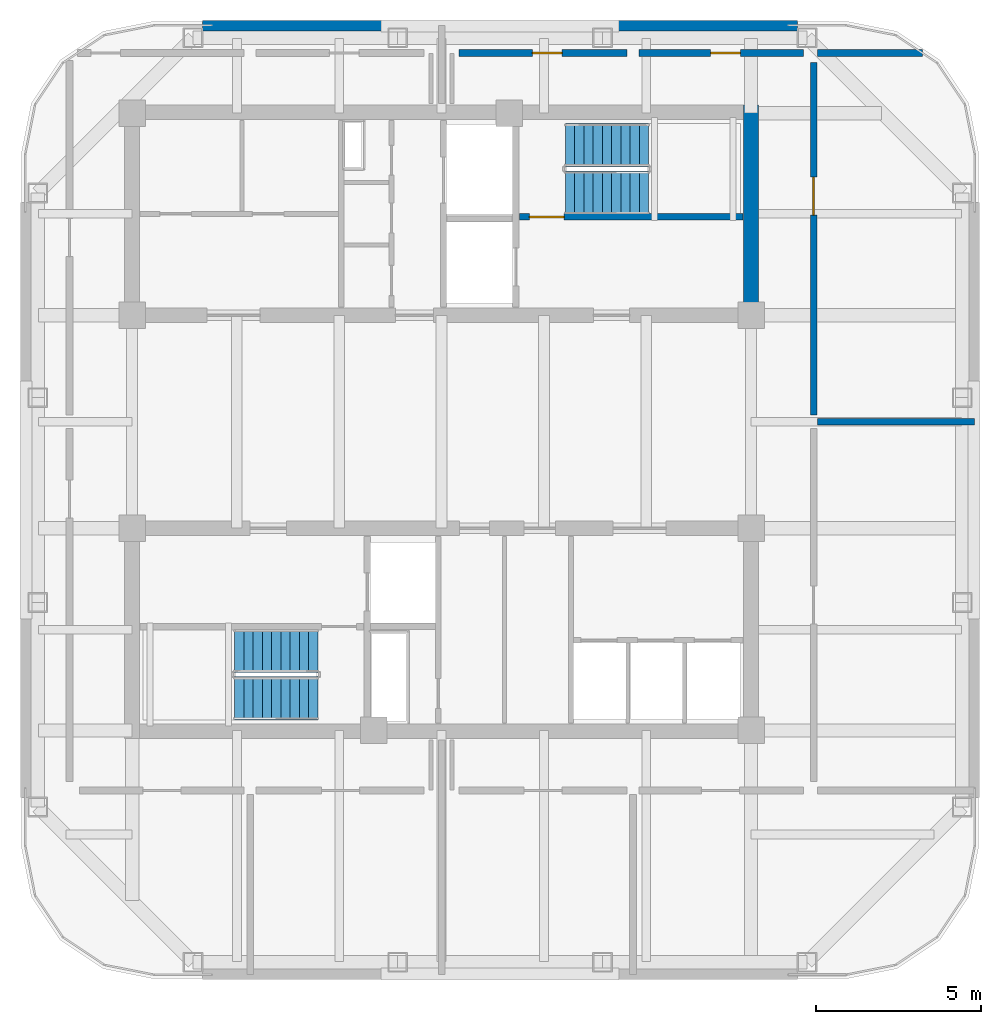
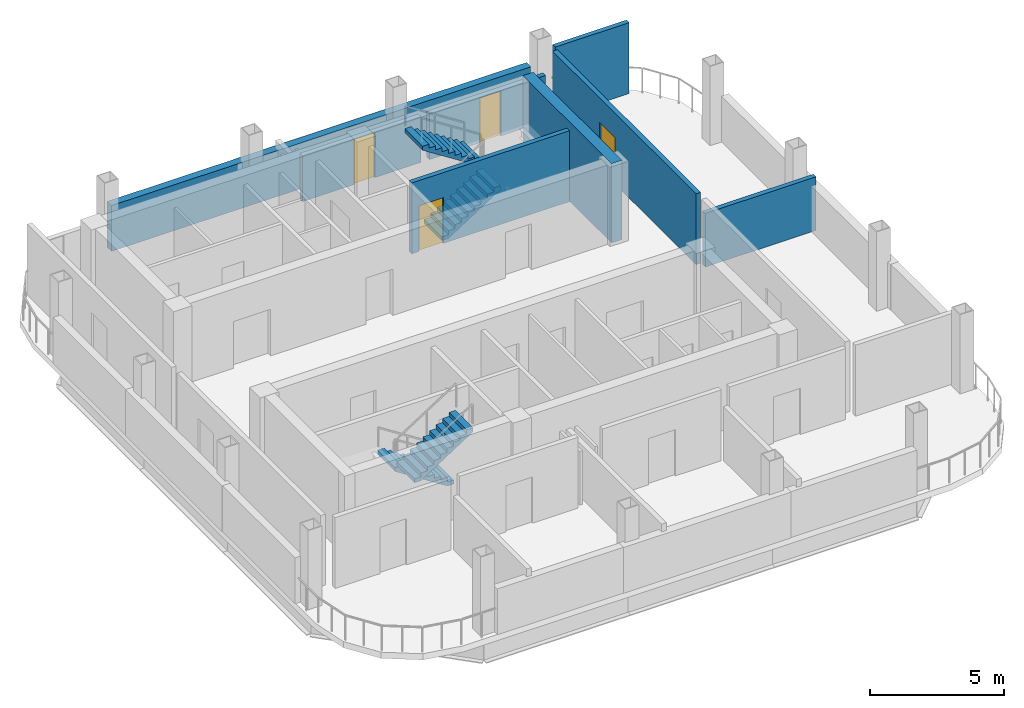
# One storey, part 4 of 7: 8 walls, 4 doors, 4 stair flights, 4 openings, 2 elements without a shape of their own.
"""IFC4 building model written with IfcOpenShell, lengths in metres."""

from ifc_helpers import new_model, si_unit, direction, frame, frame_2d, origin, place, context, subcontext, project, spatial, polyline, rectangle, outline, extrude, material, layer, layer_set, type_object, element, fill, aggregate, save


model = new_model("IFC4")

# Units and contexts
model_context = context("Model", 3, precision=1e-05, world=origin(), true_north=direction((0.0, 1.0)))
body_context = subcontext(model_context, "Body", "Model", "MODEL_VIEW")
ifc_project = project(units=[si_unit("LENGTHUNIT", "METRE"), si_unit("AREAUNIT", "SQUARE_METRE"), si_unit("VOLUMEUNIT", "CUBIC_METRE"), si_unit("PLANEANGLEUNIT", "RADIAN"), si_unit("MASSUNIT", "GRAM", prefix="KILO")], contexts=[model_context])

# Site, building, storey
site_placement = place(None, origin())
site = spatial("IfcSite", under=ifc_project, at=site_placement, CompositionType="ELEMENT")
building_placement = place(site_placement, origin())
building = spatial("IfcBuilding", under=site, at=building_placement, Name="Qhalaya Broadcast Tower", CompositionType="ELEMENT")
storey_placement = place(building_placement, frame((0.0, 0.0, 234.89990234375)))
storey = spatial("IfcBuildingStorey", under=building, at=storey_placement, Name="L69", CompositionType="ELEMENT", Elevation=234.89990234375)

# Wall, opening, door
ifc_material_1 = material(Name="Gypsum Acoustic Partition")
ifc_layer_1 = layer(ifc_material_1, 0.199951171875, Name="Gypsum Acoustic Partition")
ifc_layer_set_1 = layer_set([ifc_layer_1], Name="Gypsum Acoustic Partition")
wall_type_1 = type_object("IfcWallType", Name="Firefighting Lobby & Stair Enclosure Wall 200", PredefinedType="PARTITIONING", material=ifc_layer_set_1)
wall_1_placement = place(storey_placement, frame((5.6201171875, 11.77001953125, 0.0), z_axis=(0.0, 0.0, 1.0), x_axis=(-1.0, 0.0, 0.0)))
wall_1 = element("IfcWall", 1, at=wall_1_placement, inside=storey, type_object=wall_type_1, Name="L69 Partition Wall W-PCN2", PredefinedType="PARTITIONING", context=body_context, shape_type="SweptSolid", body=[
    extrude(rectangle(XDim=5.090087890625, YDim=0.199951171875, at=frame_2d((2.544921875, 0.0))), origin(), (0.0, 0.0, 1.0), 2.08203125),
])
opening_1_placement = place(wall_1_placement, frame((1.969970703125, 0.0, 0.0)))
opening_1 = element("IfcOpeningElement", 2, at=opening_1_placement, cuts=wall_1, Name="Opening D06", PredefinedType="OPENING", context=body_context, shape_type="SweptSolid", body=[
    extrude(rectangle(XDim=0.89990234375, YDim=2.050048828125, at=frame_2d((0.449951171875, 1.02490234375))), frame((0.0, 0.112060546875, 0.0), z_axis=(0.0, -1.0, 0.0), x_axis=(1.0, 0.0, 0.0)), (0.0, 0.0, 1.0), 0.223876953125),
])
ifc_material_2 = material(Name="Fire-Rated Steel Door", Category="steel")
door_type_1 = type_object("IfcDoorType", Name="Riser & Electrical Shaft Access Door D06", OperationType="NOTDEFINED", PredefinedType="DOOR", material=ifc_material_2)
door_1_placement = place(opening_1_placement, origin())
door_1 = element("IfcDoor", 3, at=door_1_placement, inside=storey, type_object=door_type_1, Name="L69 Door D-PCN2", OperationType="SINGLE_SWING_LEFT", OverallHeight=2.050048828125, OverallWidth=0.89990234375, PredefinedType="DOOR", context=body_context, shape_type="SweptSolid", body=[
    extrude(rectangle(XDim=0.89990234375, YDim=2.050048828125, at=frame_2d((0.449951171875, 1.02490234375))), frame((0.0, 0.02490234375, 0.0), z_axis=(0.0, -1.0, 0.0), x_axis=(1.0, 0.0, 0.0)), (0.0, 0.0, 1.0), 0.050048828125),
])
fill(opening_1, door_1)

wall_2_placement = place(storey_placement, frame((10.969970703125, 11.77001953125, 0.0), z_axis=(0.0, 0.0, 1.0), x_axis=(-1.0, 0.0, 0.0)))
wall_2 = element("IfcWall", 4, at=wall_2_placement, inside=storey, type_object=wall_type_1, Name="L69 Partition Wall W-PCN3", PredefinedType="PARTITIONING", context=body_context, shape_type="SweptSolid", body=[
    extrude(rectangle(XDim=4.989990234375, YDim=0.199951171875, at=frame_2d((2.4951171875, 0.0))), origin(), (0.0, 0.0, 1.0), 2.08203125),
])
opening_2_placement = place(wall_2_placement, frame((1.919921875, 0.0, 0.0)))
opening_2 = element("IfcOpeningElement", 5, at=opening_2_placement, cuts=wall_2, Name="Opening D06", PredefinedType="OPENING", context=body_context, shape_type="SweptSolid", body=[
    extrude(rectangle(XDim=0.89990234375, YDim=2.050048828125, at=frame_2d((0.449951171875, 1.02490234375))), frame((0.0, 0.112060546875, 0.0), z_axis=(0.0, -1.0, 0.0), x_axis=(1.0, 0.0, 0.0)), (0.0, 0.0, 1.0), 0.223876953125),
])
door_2_placement = place(opening_2_placement, origin())
door_2 = element("IfcDoor", 6, at=door_2_placement, inside=storey, type_object=door_type_1, Name="L69 Door D-PCN3", OperationType="SINGLE_SWING_LEFT", OverallHeight=2.050048828125, OverallWidth=0.89990234375, PredefinedType="DOOR", context=body_context, shape_type="SweptSolid", body=[
    extrude(rectangle(XDim=0.89990234375, YDim=2.050048828125, at=frame_2d((0.449951171875, 1.02490234375))), frame((0.0, 0.02490234375, 0.0), z_axis=(0.0, -1.0, 0.0), x_axis=(1.0, 0.0, 0.0)), (0.0, 0.0, 1.0), 0.050048828125),
])
fill(opening_2, door_2)

# Walls
wall_3_placement = place(storey_placement, frame((11.389892578125, 11.77001953125, 0.0), z_axis=(0.0, 0.0, 1.0), x_axis=(1.0, 0.0, 0.0)))
element("IfcWall", 7, at=wall_3_placement, inside=storey, type_object=wall_type_1, Name="L69 Partition Wall W-PBNE", PredefinedType="PARTITIONING", context=body_context, shape_type="SweptSolid", body=[
    extrude(rectangle(XDim=3.17578125, YDim=0.199951171875, at=frame_2d((1.587890625, 0.0))), origin(), (0.0, 0.0, 1.0), 3.22021484375),
])
wall_4_placement = place(storey_placement, frame((11.389892578125, 0.60009765625, 0.0), z_axis=(0.0, 0.0, 1.0), x_axis=(1.0, 0.0, 0.0)))
element("IfcWall", 8, at=wall_4_placement, inside=storey, type_object=wall_type_1, Name="L69 Partition Wall W-PDE1", PredefinedType="PARTITIONING", context=body_context, shape_type="SweptSolid", body=[
    extrude(rectangle(XDim=4.760009765625, YDim=0.199951171875, at=frame_2d((2.3798828125, 0.0))), origin(), (0.0, 0.0, 1.0), 2.43798828125),
])

# Wall, opening, door
wall_5_placement = place(storey_placement, frame((11.27001953125, 0.81005859375, 0.0), z_axis=(0.0, 0.0, 1.0), x_axis=(0.0, 1.0, 0.0)))
wall_5 = element("IfcWall", 9, at=wall_5_placement, inside=storey, type_object=wall_type_1, Name="L69 Partition Wall W-PCE2", PredefinedType="PARTITIONING", context=body_context, shape_type="SweptSolid", body=[
    extrude(rectangle(XDim=10.679931640625, YDim=0.199951171875, at=frame_2d((5.33984375, 0.0))), origin(), (0.0, 0.0, 1.0), 3.22021484375),
])
opening_3_placement = place(wall_5_placement, frame((6.047119140625, 0.0, 0.0)))
opening_3 = element("IfcOpeningElement", 10, at=opening_3_placement, cuts=wall_5, Name="Opening D05", PredefinedType="OPENING", context=body_context, shape_type="SweptSolid", body=[
    extrude(rectangle(XDim=1.14990234375, YDim=2.10009765625, at=frame_2d((0.574951171875, 1.050048828125))), frame((0.0, 0.112060546875, 0.0), z_axis=(0.0, -1.0, 0.0), x_axis=(1.0, 0.0, 0.0)), (0.0, 0.0, 1.0), 0.223876953125),
])
door_type_2 = type_object("IfcDoorType", Name="Refuge & Plant Room Fire Door D05", OperationType="NOTDEFINED", PredefinedType="DOOR", material=ifc_material_2)
door_3_placement = place(opening_3_placement, origin())
door_3 = element("IfcDoor", 11, at=door_3_placement, inside=storey, type_object=door_type_2, Name="L69 Door D-PCE2", OperationType="SINGLE_SWING_LEFT", OverallHeight=2.10009765625, OverallWidth=1.14990234375, PredefinedType="DOOR", context=body_context, shape_type="SweptSolid", body=[
    extrude(rectangle(XDim=1.14990234375, YDim=2.10009765625, at=frame_2d((0.574951171875, 1.050048828125))), frame((0.0, 0.02490234375, 0.0), z_axis=(0.0, -1.0, 0.0), x_axis=(1.0, 0.0, 0.0)), (0.0, 0.0, 1.0), 0.050048828125),
])
fill(opening_3, door_3)

ifc_material_3 = material(Name="Concrete C50/60", Category="concrete")
ifc_layer_2 = layer(ifc_material_3, 0.199951171875, Name="Concrete C50/60")
ifc_layer_set_2 = layer_set([ifc_layer_2], Name="Concrete C50/60")
wall_type_2 = type_object("IfcWallType", Name="Load-Bearing Stair Shaft Wall 200", PredefinedType="SHEAR", material=ifc_layer_set_2)
wall_6_placement = place(storey_placement, frame((2.360107421875, 6.804931640625, 0.0), z_axis=(0.0, 0.0, 1.0), x_axis=(1.0, 0.0, 0.0)))
wall_6 = element("IfcWall", 12, at=wall_6_placement, inside=storey, type_object=wall_type_2, Name="L69 Stair Core Shear Wall NCW-ST1", PredefinedType="SHEAR", context=body_context, shape_type="SweptSolid", body=[
    extrude(rectangle(XDim=6.769775390625, YDim=0.199951171875, at=frame_2d((3.384765625, 0.0))), origin(), (0.0, 0.0, 1.0), 3.22021484375),
])
opening_4_placement = place(wall_6_placement, frame((0.300048828125, 0.0, 0.0)))
opening_4 = element("IfcOpeningElement", 13, at=opening_4_placement, cuts=wall_6, Name="Opening D03", PredefinedType="OPENING", context=body_context, shape_type="SweptSolid", body=[
    extrude(rectangle(XDim=1.050048828125, YDim=2.080078125, at=frame_2d((0.52490234375, 1.0400390625))), frame((0.0, 0.112060546875, 0.0), z_axis=(0.0, -1.0, 0.0), x_axis=(1.0, 0.0, 0.0)), (0.0, 0.0, 1.0), 0.223876953125),
])
door_type_3 = type_object("IfcDoorType", Name="Core Stair Protected Fire Door D03", OperationType="NOTDEFINED", PredefinedType="DOOR", material=ifc_material_2)
door_4_placement = place(opening_4_placement, origin())
door_4 = element("IfcDoor", 14, at=door_4_placement, inside=storey, type_object=door_type_3, Name="L69 Door D-NST1", OperationType="SINGLE_SWING_LEFT", OverallHeight=2.080078125, OverallWidth=1.050048828125, PredefinedType="DOOR", context=body_context, shape_type="SweptSolid", body=[
    extrude(rectangle(XDim=1.050048828125, YDim=2.080078125, at=frame_2d((0.52490234375, 1.0400390625))), frame((0.0, 0.02490234375, 0.0), z_axis=(0.0, -1.0, 0.0), x_axis=(1.0, 0.0, 0.0)), (0.0, 0.0, 1.0), 0.050048828125),
])
fill(opening_4, door_4)

# Walls
ifc_material_4 = material(Name="Precast Concrete C40/50", Category="concrete")
ifc_layer_3 = layer(ifc_material_4, 0.320068359375, Name="Precast Concrete C40/50")
ifc_layer_set_3 = layer_set([ifc_layer_3], Name="Precast Concrete C40/50")
wall_type_3 = type_object("IfcWallType", Name="Recessed Neck Insulated Exterior Wall 320", PredefinedType="SOLIDWALL", material=ifc_layer_set_3)
wall_7_placement = place(storey_placement, frame((-7.241943359375, 12.590087890625, 0.0), z_axis=(0.0, 0.0, 1.0), x_axis=(1.0, 0.0, 0.0)))
element("IfcWall", 15, at=wall_7_placement, inside=storey, type_object=wall_type_3, Name="L69 Exterior Facade Wall N", PredefinedType="SOLIDWALL", context=body_context, shape_type="SweptSolid", body=[
    extrude(rectangle(XDim=18.02392578125, YDim=0.320068359375, at=frame_2d((9.011962890625, 0.0))), origin(), (0.0, 0.0, 1.0), 2.08203125),
])
ifc_layer_4 = layer(ifc_material_3, 0.449951171875, Name="Concrete C50/60")
ifc_layer_set_4 = layer_set([ifc_layer_4], Name="Concrete C50/60")
wall_type_4 = type_object("IfcWallType", Name="Upper Split-Core Shear Wall 450", PredefinedType="SHEAR", material=ifc_layer_set_4)
wall_8_placement = place(storey_placement, frame((9.375, 3.60009765625, 0.0), z_axis=(0.0, 0.0, 1.0), x_axis=(0.0, 1.0, 0.0)))
element("IfcWall", 16, at=wall_8_placement, inside=storey, type_object=wall_type_4, Name="L69 Split-Core Shear Wall CW-NE", PredefinedType="SHEAR", context=body_context, shape_type="SweptSolid", body=[
    extrude(rectangle(XDim=6.599853515625, YDim=0.449951171875, at=frame_2d((3.2998046875, 0.0))), origin(), (0.0, 0.0, 1.0), 3.60009765625),
])

# Stair, stair flights
ifc_material_5 = material(Name="Concrete C40/50", Category="concrete")
stair_type = type_object("IfcStairType", Name="Protected Dogleg Core Stair 3600", PredefinedType="TWO_STRAIGHT_RUN_STAIR", material=ifc_material_5)
stair_1_placement = place(storey_placement, origin())
stair_1 = element("IfcStair", 17, at=stair_1_placement, inside=storey, type_object=stair_type, Name="L69 North Core Exit Stair ST-1", PredefinedType="TWO_STRAIGHT_RUN_STAIR")
stair_flight_type = type_object("IfcStairFlightType", Name="Precast Concrete Stair Flight 3600", PredefinedType="STRAIGHT", material=ifc_material_4)
stair_flight_1_placement = place(storey_placement, frame((3.75, 7.5400390625, 0.0), z_axis=(0.0, 0.0, 1.0), x_axis=(1.0, 0.0, 0.0)))
stair_flight_1 = element("IfcStairFlight", 18, at=stair_flight_1_placement, type_object=stair_flight_type, Name="ST-1 flight 1", NumberOfRisers=10, NumberOfTreads=9, PredefinedType="STRAIGHT", RiserHeight=0.18, TreadLength=0.28, context=body_context, shape_type="SweptSolid", body=[
    extrude(outline(polyline([(0.0, 0.0), (0.0, 0.179931640625), (0.280029296875, 0.179931640625), (0.280029296875, 0.360107421875), (0.56005859375, 0.360107421875), (0.56005859375, 0.5400390625), (0.840087890625, 0.5400390625), (0.840087890625, 0.719970703125), (1.1201171875, 0.719970703125), (1.1201171875, 0.89990234375), (1.39990234375, 0.89990234375), (1.39990234375, 1.080078125), (1.679931640625, 1.080078125), (1.679931640625, 1.260009765625), (1.9599609375, 1.260009765625), (1.9599609375, 1.43994140625), (2.239990234375, 1.43994140625), (2.239990234375, 1.6201171875), (2.52001953125, 1.6201171875), (2.52001953125, 1.800048828125), (2.52001953125, 1.44189453125), (0.277099609375, 0.0), (0.0, 0.0)])), frame((0.0, 0.66015625, 0.0), z_axis=(0.0, -1.0, 0.0), x_axis=(1.0, 0.0, 0.0)), (0.0, 0.0, 1.0), 1.320068359375),
])
stair_flight_2_placement = place(storey_placement, frame((6.27001953125, 8.97998046875, 1.800048828125), z_axis=(0.0, 0.0, 1.0), x_axis=(-1.0, 0.0, 0.0)))
stair_flight_2 = element("IfcStairFlight", 19, at=stair_flight_2_placement, type_object=stair_flight_type, Name="ST-1 flight 2", NumberOfRisers=10, NumberOfTreads=9, PredefinedType="STRAIGHT", RiserHeight=0.18, TreadLength=0.28, context=body_context, shape_type="SweptSolid", body=[
    extrude(outline(polyline([(0.0, 0.0), (0.0, 0.179931640625), (0.280029296875, 0.179931640625), (0.280029296875, 0.360107421875), (0.56005859375, 0.360107421875), (0.56005859375, 0.5400390625), (0.840087890625, 0.5400390625), (0.840087890625, 0.719970703125), (1.1201171875, 0.719970703125), (1.1201171875, 0.89990234375), (1.39990234375, 0.89990234375), (1.39990234375, 1.080078125), (1.679931640625, 1.080078125), (1.679931640625, 1.260009765625), (1.9599609375, 1.260009765625), (1.9599609375, 1.43994140625), (2.239990234375, 1.43994140625), (2.239990234375, 1.6201171875), (2.52001953125, 1.6201171875), (2.52001953125, 1.800048828125), (2.52001953125, 1.44189453125), (0.277099609375, 0.0), (0.0, 0.0)])), frame((0.0, 0.66015625, 0.0), z_axis=(0.0, -1.0, 0.0), x_axis=(1.0, 0.0, 0.0)), (0.0, 0.0, 1.0), 1.320068359375),
])
aggregate(stair_1, [stair_flight_1, stair_flight_2])

stair_2_placement = place(storey_placement, origin())
stair_2 = element("IfcStair", 20, at=stair_2_placement, inside=storey, type_object=stair_type, Name="L69 South Core Exit Stair ST-2", PredefinedType="TWO_STRAIGHT_RUN_STAIR")
stair_flight_3_placement = place(storey_placement, frame((-3.75, -6.340087890625, 0.0), z_axis=(0.0, 0.0, 1.0), x_axis=(-1.0, 0.0, 0.0)))
stair_flight_3 = element("IfcStairFlight", 21, at=stair_flight_3_placement, type_object=stair_flight_type, Name="ST-2 flight 1", NumberOfRisers=10, NumberOfTreads=9, PredefinedType="STRAIGHT", RiserHeight=0.18, TreadLength=0.28, context=body_context, shape_type="SweptSolid", body=[
    extrude(outline(polyline([(0.0, 0.0), (0.0, 0.179931640625), (0.280029296875, 0.179931640625), (0.280029296875, 0.360107421875), (0.56005859375, 0.360107421875), (0.56005859375, 0.5400390625), (0.840087890625, 0.5400390625), (0.840087890625, 0.719970703125), (1.1201171875, 0.719970703125), (1.1201171875, 0.89990234375), (1.39990234375, 0.89990234375), (1.39990234375, 1.080078125), (1.679931640625, 1.080078125), (1.679931640625, 1.260009765625), (1.9599609375, 1.260009765625), (1.9599609375, 1.43994140625), (2.239990234375, 1.43994140625), (2.239990234375, 1.6201171875), (2.52001953125, 1.6201171875), (2.52001953125, 1.800048828125), (2.52001953125, 1.44189453125), (0.277099609375, 0.0), (0.0, 0.0)])), frame((0.0, 0.66015625, 0.0), z_axis=(0.0, -1.0, 0.0), x_axis=(1.0, 0.0, 0.0)), (0.0, 0.0, 1.0), 1.320068359375),
])
stair_flight_4_placement = place(storey_placement, frame((-6.27001953125, -7.780029296875, 1.800048828125), z_axis=(0.0, 0.0, 1.0), x_axis=(1.0, 0.0, 0.0)))
stair_flight_4 = element("IfcStairFlight", 22, at=stair_flight_4_placement, type_object=stair_flight_type, Name="ST-2 flight 2", NumberOfRisers=10, NumberOfTreads=9, PredefinedType="STRAIGHT", RiserHeight=0.18, TreadLength=0.28, context=body_context, shape_type="SweptSolid", body=[
    extrude(outline(polyline([(0.0, 0.0), (0.0, 0.179931640625), (0.280029296875, 0.179931640625), (0.280029296875, 0.360107421875), (0.56005859375, 0.360107421875), (0.56005859375, 0.5400390625), (0.840087890625, 0.5400390625), (0.840087890625, 0.719970703125), (1.1201171875, 0.719970703125), (1.1201171875, 0.89990234375), (1.39990234375, 0.89990234375), (1.39990234375, 1.080078125), (1.679931640625, 1.080078125), (1.679931640625, 1.260009765625), (1.9599609375, 1.260009765625), (1.9599609375, 1.43994140625), (2.239990234375, 1.43994140625), (2.239990234375, 1.6201171875), (2.52001953125, 1.6201171875), (2.52001953125, 1.800048828125), (2.52001953125, 1.44189453125), (0.277099609375, 0.0), (0.0, 0.0)])), frame((0.0, 0.66015625, 0.0), z_axis=(0.0, -1.0, 0.0), x_axis=(1.0, 0.0, 0.0)), (0.0, 0.0, 1.0), 1.320068359375),
])
aggregate(stair_2, [stair_flight_3, stair_flight_4])

save(model, "model.ifc")
